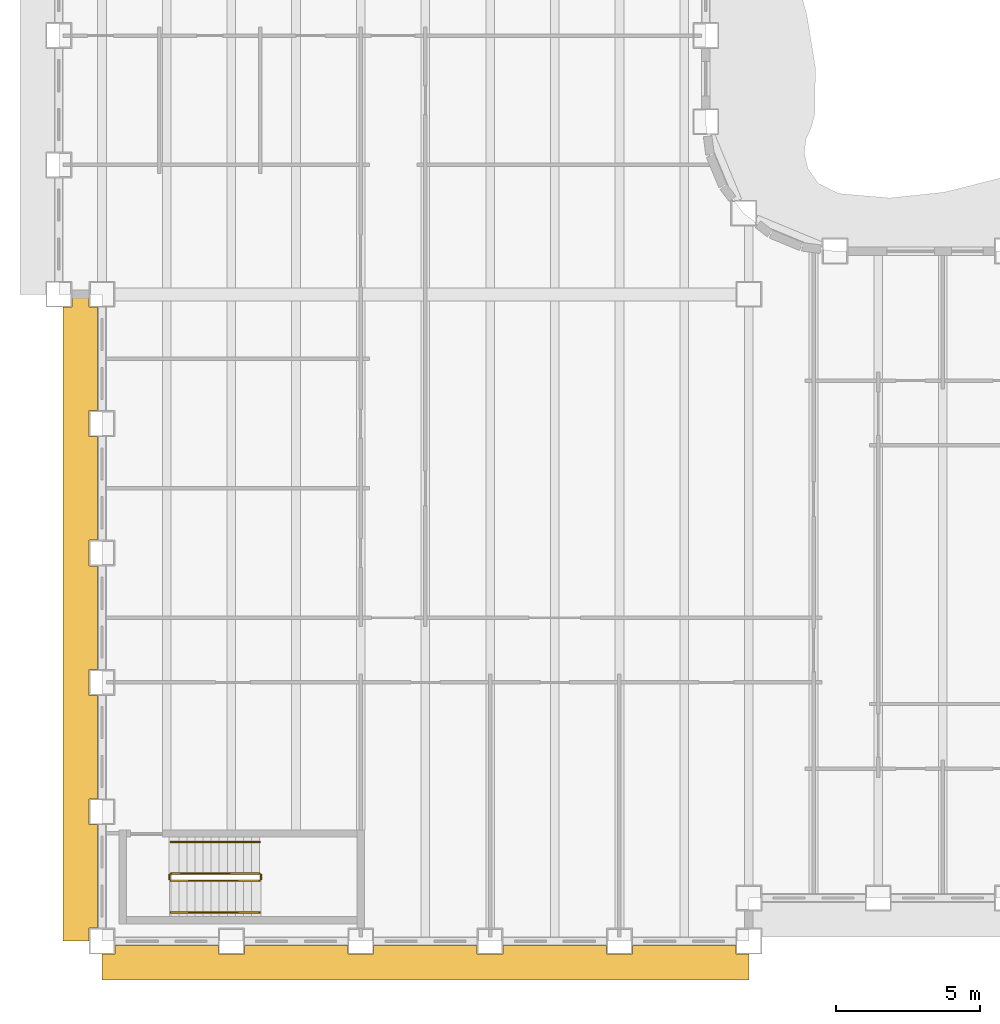
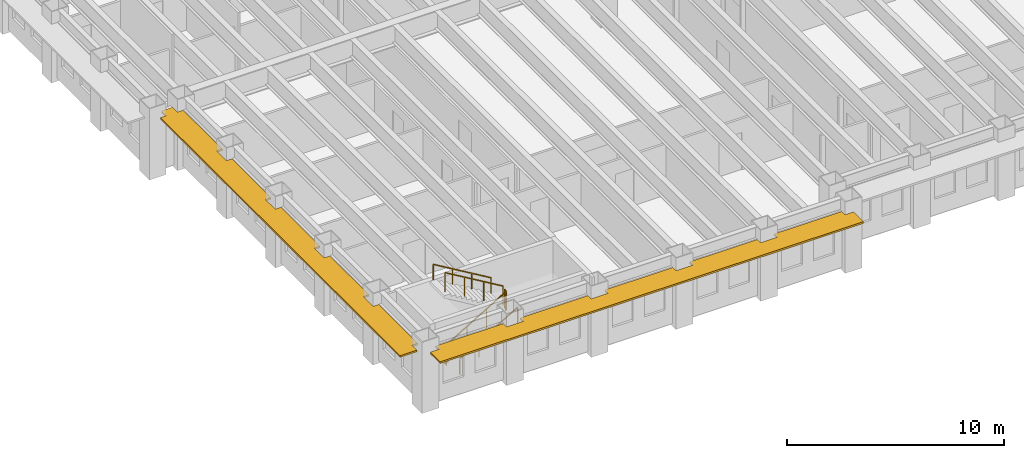
# One storey, part 11 of 16: 6 railings, 2 shading devices.
"""IFC4 building model written with IfcOpenShell, lengths in metres."""

from ifc_helpers import new_model, si_unit, direction, frame, origin, origin_2d, place, context, subcontext, project, spatial, polyline, rectangle, outline, extrude, material, layer, layer_set, type_object, element, save


model = new_model("IFC4")

# Units and contexts
model_context = context("Model", 3, precision=1e-05, world=origin(), true_north=direction((0.0, 1.0)))
body_context = subcontext(model_context, "Body", "Model", "MODEL_VIEW")
ifc_project = project(units=[si_unit("LENGTHUNIT", "METRE"), si_unit("AREAUNIT", "SQUARE_METRE"), si_unit("VOLUMEUNIT", "CUBIC_METRE"), si_unit("PLANEANGLEUNIT", "RADIAN"), si_unit("MASSUNIT", "GRAM", prefix="KILO")], contexts=[model_context])

# Site, building, storey
site_placement = place(None, origin())
site = spatial("IfcSite", under=ifc_project, at=site_placement, CompositionType="ELEMENT")
building_placement = place(site_placement, origin())
building = spatial("IfcBuilding", under=site, at=building_placement, Name="Sennacour Bend Tower", CompositionType="ELEMENT")
storey_placement = place(building_placement, frame((0.0, 0.0, 163.0)))
storey = spatial("IfcBuildingStorey", under=building, at=storey_placement, Name="L37", CompositionType="ELEMENT", Elevation=163.0)

# Railings
ifc_material_1 = material(Name="Stainless steel", Category="steel")
railing_type_1 = type_object("IfcRailingType", Name="RL-GUARD-1100", PredefinedType="GUARDRAIL", material=ifc_material_1)
railing_1_placement = place(storey_placement, frame((2.39990234375, 2.10009765625, 0.166748046875)))
element("IfcRailing", 1, at=railing_1_placement, inside=storey, type_object=railing_type_1, Name="L37 SK1 stair guard 1", PredefinedType="GUARDRAIL", context=body_context, shape_type="SweptSolid", body=[
    extrude(rectangle(XDim=0.048095703125, YDim=0.048095703125, at=origin_2d()), frame((0.0, 0.0, 1.076171875), z_axis=(0.859308565015, 0.0, 0.511457515432), x_axis=(0.0, 1.0, 0.0)), (0.0, 0.0, 1.0), 3.58447265625),
    extrude(rectangle(XDim=0.0419921875, YDim=0.0419921875, at=origin_2d()), origin(), (0.0, 0.0, 1.0), 1.052001953125),
    extrude(rectangle(XDim=0.0419921875, YDim=0.0419921875, at=origin_2d()), frame((1.026611328125, 0.0, 0.611083984375)), (0.0, 0.0, 1.0), 1.052001953125),
    extrude(rectangle(XDim=0.0419921875, YDim=0.0419921875, at=origin_2d()), frame((2.053466796875, 0.0, 1.22216796875)), (0.0, 0.0, 1.0), 1.052001953125),
    extrude(rectangle(XDim=0.0419921875, YDim=0.0419921875, at=origin_2d()), frame((3.080078125, 0.0, 1.833251953125)), (0.0, 0.0, 1.0), 1.052001953125),
])
railing_2_placement = place(storey_placement, frame((5.530029296875, 2.14990234375, 2.0)))
element("IfcRailing", 2, at=railing_2_placement, inside=storey, type_object=railing_type_1, Name="L37 SK1 stair guard 2", PredefinedType="GUARDRAIL", context=body_context, shape_type="SweptSolid", body=[
    extrude(rectangle(XDim=0.048095703125, YDim=0.048095703125, at=origin_2d()), frame((0.0, 0.0, 1.076171875), z_axis=(0.0, 1.0, 0.0), x_axis=(-1.0, 0.0, 0.0)), (0.0, 0.0, 1.0), 0.150146484375),
    extrude(rectangle(XDim=0.0419921875, YDim=0.0419921875, at=origin_2d()), origin(), (0.0, 0.0, 1.0), 1.052001953125),
    extrude(rectangle(XDim=0.0419921875, YDim=0.0419921875, at=origin_2d()), frame((0.0, 0.150146484375, 0.0)), (0.0, 0.0, 1.0), 1.052001953125),
])
railing_3_placement = place(storey_placement, frame((5.47998046875, 2.35009765625, 2.166748046875)))
element("IfcRailing", 3, at=railing_3_placement, inside=storey, type_object=railing_type_1, Name="L37 SK1 stair guard 3", PredefinedType="GUARDRAIL", context=body_context, shape_type="SweptSolid", body=[
    extrude(rectangle(XDim=0.048095703125, YDim=0.048095703125, at=origin_2d()), frame((0.0, 0.0, 1.076171875), z_axis=(-0.859308565015, 0.0, 0.511457515432), x_axis=(0.0, -1.0, 0.0)), (0.0, 0.0, 1.0), 3.58447265625),
    extrude(rectangle(XDim=0.0419921875, YDim=0.0419921875, at=origin_2d()), origin(), (0.0, 0.0, 1.0), 1.052001953125),
    extrude(rectangle(XDim=0.0419921875, YDim=0.0419921875, at=origin_2d()), frame((-1.026611328125, 0.0, 0.611083984375)), (0.0, 0.0, 1.0), 1.052001953125),
    extrude(rectangle(XDim=0.0419921875, YDim=0.0419921875, at=origin_2d()), frame((-2.053466796875, 0.0, 1.22216796875)), (0.0, 0.0, 1.0), 1.052001953125),
    extrude(rectangle(XDim=0.0419921875, YDim=0.0419921875, at=origin_2d()), frame((-3.080078125, 0.0, 1.833251953125)), (0.0, 0.0, 1.0), 1.052001953125),
])
railing_4_placement = place(storey_placement, frame((2.35009765625, 2.14990234375, 0.0)))
element("IfcRailing", 4, at=railing_4_placement, inside=storey, type_object=railing_type_1, Name="L37 SK1 stair guard 4", PredefinedType="GUARDRAIL", context=body_context, shape_type="SweptSolid", body=[
    extrude(rectangle(XDim=0.048095703125, YDim=0.048095703125, at=origin_2d()), frame((0.0, 0.0, 1.076171875), z_axis=(0.0, 1.0, 0.0), x_axis=(-1.0, 0.0, 0.0)), (0.0, 0.0, 1.0), 0.150146484375),
    extrude(rectangle(XDim=0.0419921875, YDim=0.0419921875, at=origin_2d()), origin(), (0.0, 0.0, 1.0), 1.052001953125),
    extrude(rectangle(XDim=0.0419921875, YDim=0.0419921875, at=origin_2d()), frame((0.0, 0.150146484375, 0.0)), (0.0, 0.0, 1.0), 1.052001953125),
])
railing_type_2 = type_object("IfcRailingType", Name="RL-HANDRAIL-900", PredefinedType="HANDRAIL", material=ifc_material_1)
railing_5_placement = place(storey_placement, frame((2.39990234375, 1.0, 0.166748046875)))
element("IfcRailing", 5, at=railing_5_placement, inside=storey, type_object=railing_type_2, Name="L37 SK1 stair handrail 1", PredefinedType="HANDRAIL", context=body_context, shape_type="SweptSolid", body=[
    extrude(rectangle(XDim=0.048095703125, YDim=0.048095703125, at=origin_2d()), frame((0.0, 0.0, 0.8759765625), z_axis=(0.859308565015, 0.0, 0.511457515432), x_axis=(0.0, 1.0, 0.0)), (0.0, 0.0, 1.0), 3.58447265625),
    extrude(rectangle(XDim=0.0419921875, YDim=0.0419921875, at=origin_2d()), origin(), (0.0, 0.0, 1.0), 0.851806640625),
    extrude(rectangle(XDim=0.0419921875, YDim=0.0419921875, at=origin_2d()), frame((1.026611328125, 0.0, 0.611083984375)), (0.0, 0.0, 1.0), 0.851806640625),
    extrude(rectangle(XDim=0.0419921875, YDim=0.0419921875, at=origin_2d()), frame((2.053466796875, 0.0, 1.22216796875)), (0.0, 0.0, 1.0), 0.851806640625),
    extrude(rectangle(XDim=0.0419921875, YDim=0.0419921875, at=origin_2d()), frame((3.080078125, 0.0, 1.833251953125)), (0.0, 0.0, 1.0), 0.851806640625),
])
railing_6_placement = place(storey_placement, frame((5.47998046875, 3.449951171875, 2.166748046875)))
element("IfcRailing", 6, at=railing_6_placement, inside=storey, type_object=railing_type_2, Name="L37 SK1 stair handrail 2", PredefinedType="HANDRAIL", context=body_context, shape_type="SweptSolid", body=[
    extrude(rectangle(XDim=0.048095703125, YDim=0.048095703125, at=origin_2d()), frame((0.0, 0.0, 0.8759765625), z_axis=(-0.859308565015, 0.0, 0.511457515432), x_axis=(0.0, -1.0, 0.0)), (0.0, 0.0, 1.0), 3.58447265625),
    extrude(rectangle(XDim=0.0419921875, YDim=0.0419921875, at=origin_2d()), origin(), (0.0, 0.0, 1.0), 0.851806640625),
    extrude(rectangle(XDim=0.0419921875, YDim=0.0419921875, at=origin_2d()), frame((-1.026611328125, 0.0, 0.611083984375)), (0.0, 0.0, 1.0), 0.851806640625),
    extrude(rectangle(XDim=0.0419921875, YDim=0.0419921875, at=origin_2d()), frame((-2.053466796875, 0.0, 1.22216796875)), (0.0, 0.0, 1.0), 0.851806640625),
    extrude(rectangle(XDim=0.0419921875, YDim=0.0419921875, at=origin_2d()), frame((-3.080078125, 0.0, 1.833251953125)), (0.0, 0.0, 1.0), 0.851806640625),
])

# Shading devices
ifc_material_2 = material(Name="Bronze anodised aluminium", Category="aluminium")
ifc_layer = layer(ifc_material_2, 0.10009765625, Name="Bronze anodised aluminium", Category="aluminium")
ifc_layer_set = layer_set([ifc_layer], Name="Bronze anodised aluminium")
shading_device_type = type_object("IfcShadingDeviceType", Name="SUNSHADE BAND STRAIGHT", PredefinedType="USERDEFINED", material=ifc_layer_set)
shading_device_1_placement = place(storey_placement, frame((0.0, 0.0, 3.049072265625)))
element("IfcShadingDevice", 7, at=shading_device_1_placement, inside=storey, type_object=shading_device_type, Name="Sunshade band L37 K outer face", ObjectType="SUNSHADE", PredefinedType="USERDEFINED", context=body_context, shape_type="SweptSolid", body=[
    extrude(outline(polyline([(4.050048828125, -0.14990234375), (4.050048828125, -0.449951171875), (4.949951171875, -0.449951171875), (4.949951171875, -0.14990234375), (8.550048828125, -0.14990234375), (8.550048828125, -0.449951171875), (9.449951171875, -0.449951171875), (9.449951171875, -0.14990234375), (13.050048828125, -0.14990234375), (13.050048828125, -0.449951171875), (13.949951171875, -0.449951171875), (13.949951171875, -0.14990234375), (17.550048828125, -0.14990234375), (17.550048828125, -0.449951171875), (18.449951171875, -0.449951171875), (18.449951171875, -0.14990234375), (22.050048828125, -0.14990234375), (22.050048828125, -0.449951171875), (22.5, -0.449951171875), (22.5, -1.35009765625), (0.0, -1.35009765625), (0.0, -0.449951171875), (0.449951171875, -0.449951171875), (0.449951171875, -0.14990234375), (4.050048828125, -0.14990234375)])), origin(), (0.0, 0.0, 1.0), 0.099853515625),
])
shading_device_2_placement = place(storey_placement, frame((0.0, 0.0, 3.049072265625)))
element("IfcShadingDevice", 8, at=shading_device_2_placement, inside=storey, type_object=shading_device_type, Name="Sunshade band L37 K outer face", ObjectType="SUNSHADE", PredefinedType="USERDEFINED", context=body_context, shape_type="SweptSolid", body=[
    extrude(outline(polyline([(-0.14990234375, 18.449951171875), (-0.449951171875, 18.449951171875), (-0.449951171875, 17.550048828125), (-0.14990234375, 17.550048828125), (-0.14990234375, 13.949951171875), (-0.449951171875, 13.949951171875), (-0.449951171875, 13.050048828125), (-0.14990234375, 13.050048828125), (-0.14990234375, 9.449951171875), (-0.449951171875, 9.449951171875), (-0.449951171875, 8.550048828125), (-0.14990234375, 8.550048828125), (-0.14990234375, 4.949951171875), (-0.449951171875, 4.949951171875), (-0.449951171875, 4.050048828125), (-0.14990234375, 4.050048828125), (-0.14990234375, 0.449951171875), (-0.449951171875, 0.449951171875), (-0.449951171875, 0.0), (-1.35009765625, 0.0), (-1.35009765625, 22.050048828125), (-1.050048828125, 22.050048828125), (-1.050048828125, 22.5), (-0.449951171875, 22.5), (-0.449951171875, 22.050048828125), (-0.14990234375, 22.050048828125), (-0.14990234375, 18.449951171875)])), origin(), (0.0, 0.0, 1.0), 0.099853515625),
])

save(model, "model.ifc")
